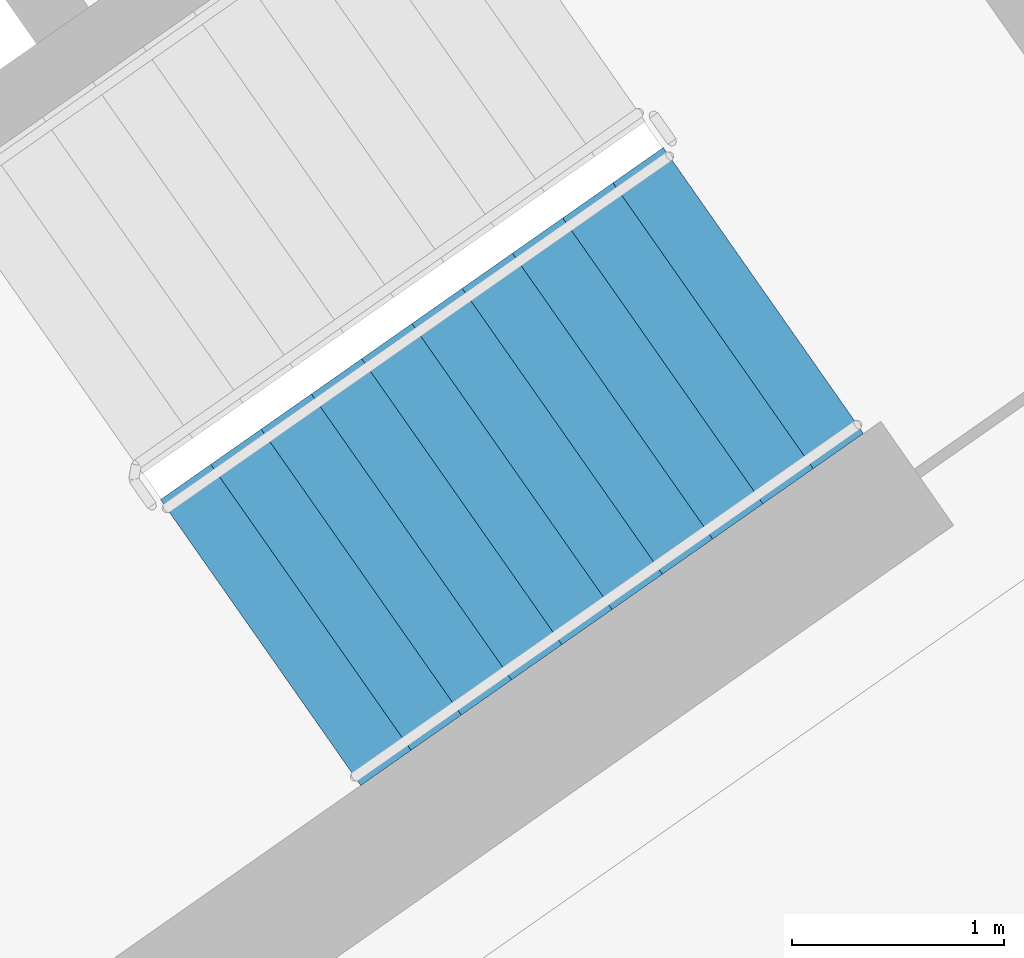
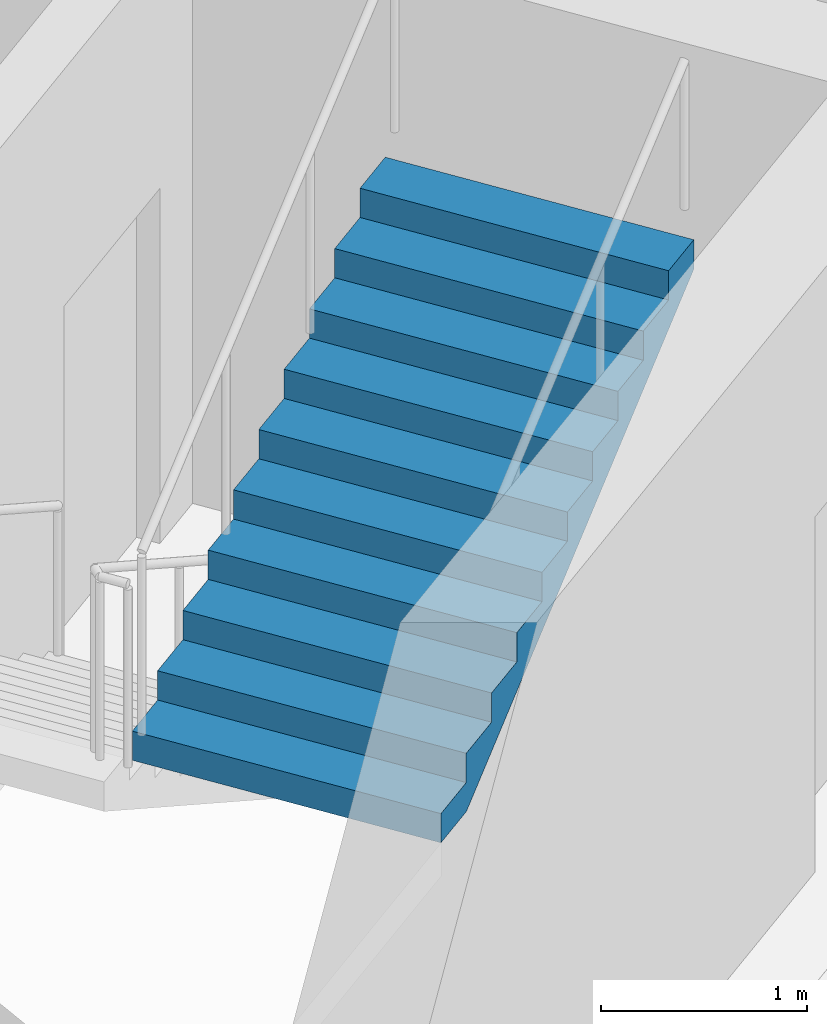
# One storey, part 13 of 28: 1 stair flight, 1 element without a shape of its own.
"""IFC4 building model written with IfcOpenShell, lengths in metres."""

from ifc_helpers import new_model, si_unit, direction, frame, origin, place, context, subcontext, project, spatial, faceted_brep, material, type_object, element, aggregate, save


model = new_model("IFC4")

# Units and contexts
model_context = context("Model", 3, precision=1e-05, world=origin(), true_north=direction((0.0, 1.0)))
body_context = subcontext(model_context, "Body", "Model", "MODEL_VIEW")
ifc_project = project(units=[si_unit("LENGTHUNIT", "METRE"), si_unit("AREAUNIT", "SQUARE_METRE"), si_unit("VOLUMEUNIT", "CUBIC_METRE"), si_unit("PLANEANGLEUNIT", "RADIAN"), si_unit("MASSUNIT", "GRAM", prefix="KILO")], contexts=[model_context])

# Site, building, storey
site_placement = place(None, origin())
site = spatial("IfcSite", under=ifc_project, at=site_placement, CompositionType="ELEMENT")
building_placement = place(site_placement, origin())
building = spatial("IfcBuilding", under=site, at=building_placement, Name="Qamariyya Broadcast Tower", CompositionType="ELEMENT")
storey_placement = place(building_placement, frame((0.0, 0.0, 241.699951171875)))
storey = spatial("IfcBuildingStorey", under=building, at=storey_placement, Name="L58", CompositionType="ELEMENT", Elevation=241.699951171875)

# Stair, stair flight
ifc_material = material(Name="Concrete C50/60", Category="concrete")
stair_type = type_object("IfcStairType", Name="Exit stair 22 risers of 173 mm", PredefinedType="HALF_TURN_STAIR", material=ifc_material)
stair_placement = place(storey_placement, origin())
stair = element("IfcStair", 1, at=stair_placement, inside=storey, type_object=stair_type, Name="L58 Stair E1", PredefinedType="HALF_TURN_STAIR")
stair_flight_type = type_object("IfcStairFlightType", Name="Exit stair flight 11 risers of 173 mm", PredefinedType="STRAIGHT", material=ifc_material)
stair_flight_placement = place(storey_placement, frame((44.693359375, -58.64599609375, 1.900146484375), z_axis=(0.0, 0.0, 1.0), x_axis=(0.819152044289, 0.573576436351, 0.0)))
stair_flight = element("IfcStairFlight", 2, at=stair_flight_placement, type_object=stair_flight_type, Name="ST-E1 flight 2", NumberOfRisers=11, NumberOfTreads=10, PredefinedType="STRAIGHT", RiserHeight=0.172727273, TreadLength=0.29, context=body_context, shape_type="Brep", body=[
    faceted_brep([(0.0, 0.824951171875, 0.0), (0.0, 0.824951171875, 0.172607421875), (0.2900390625, 0.824951171875, 0.172607421875), (0.2900390625, 0.824951171875, 0.345458984375), (0.580078125, 0.824951171875, 0.345458984375), (0.580078125, 0.824951171875, 0.51806640625), (0.8701171875, 0.824951171875, 0.51806640625), (0.8701171875, 0.824951171875, 0.69091796875), (1.159912109375, 0.824951171875, 0.69091796875), (1.159912109375, 0.824951171875, 0.863525390625), (1.449951171875, 0.824951171875, 0.863525390625), (1.449951171875, 0.824951171875, 1.036376953125), (1.739990234375, 0.824951171875, 1.036376953125), (1.739990234375, 0.824951171875, 1.208984375), (2.030029296875, 0.824951171875, 1.208984375), (2.030029296875, 0.824951171875, 1.3818359375), (2.320068359375, 0.824951171875, 1.3818359375), (2.320068359375, 0.824951171875, 1.554443359375), (2.610107421875, 0.824951171875, 1.554443359375), (2.610107421875, 0.824951171875, 1.727294921875), (2.89990234375, 0.824951171875, 1.727294921875), (2.89990234375, 0.824951171875, 1.552734375), (0.29296875, 0.824951171875, 0.0), (0.29296875, -0.824951171875, 0.0), (2.89990234375, -0.824951171875, 1.552734375), (2.89990234375, -0.824951171875, 1.727294921875), (2.610107421875, -0.824951171875, 1.727294921875), (2.610107421875, -0.824951171875, 1.554443359375), (2.320068359375, -0.824951171875, 1.554443359375), (2.320068359375, -0.824951171875, 1.3818359375), (2.030029296875, -0.824951171875, 1.3818359375), (2.030029296875, -0.824951171875, 1.208984375), (1.739990234375, -0.824951171875, 1.208984375), (1.739990234375, -0.824951171875, 1.036376953125), (1.449951171875, -0.824951171875, 1.036376953125), (1.449951171875, -0.824951171875, 0.863525390625), (1.159912109375, -0.824951171875, 0.863525390625), (1.159912109375, -0.824951171875, 0.69091796875), (0.8701171875, -0.824951171875, 0.69091796875), (0.8701171875, -0.824951171875, 0.51806640625), (0.580078125, -0.824951171875, 0.51806640625), (0.580078125, -0.824951171875, 0.345458984375), (0.2900390625, -0.824951171875, 0.345458984375), (0.2900390625, -0.824951171875, 0.172607421875), (0.0, -0.824951171875, 0.172607421875), (0.0, -0.824951171875, 0.0), (0.0, 0.10009765625, 0.0), (0.0, 0.086669921875, 0.0), (0.0, 0.0732421875, 0.0), (0.0, 0.06005859375, 0.0), (0.0, 0.046630859375, 0.0), (0.0, 0.033447265625, 0.0), (0.0, 0.02001953125, 0.0), (0.0, 0.006591796875, 0.0), (0.0, -0.006591796875, 0.0), (0.0, -0.02001953125, 0.0), (0.0, -0.033447265625, 0.0), (0.0, -0.046630859375, 0.0), (0.0, -0.06005859375, 0.0), (0.0, -0.0732421875, 0.0), (0.0, -0.086669921875, 0.0), (0.0, -0.10009765625, 0.0), (0.0, -0.10009765625, 0.172607421875), (0.0, -0.086669921875, 0.172607421875), (0.0, -0.0732421875, 0.172607421875), (0.0, -0.06005859375, 0.172607421875), (0.0, -0.046630859375, 0.172607421875), (0.0, -0.033447265625, 0.172607421875), (0.0, -0.02001953125, 0.172607421875), (0.0, -0.006591796875, 0.172607421875), (0.0, 0.006591796875, 0.172607421875), (0.0, 0.02001953125, 0.172607421875), (0.0, 0.033447265625, 0.172607421875), (0.0, 0.046630859375, 0.172607421875), (0.0, 0.06005859375, 0.172607421875), (0.0, 0.0732421875, 0.172607421875), (0.0, 0.086669921875, 0.172607421875), (0.0, 0.10009765625, 0.172607421875), (0.2900390625, -0.10009765625, 0.172607421875), (0.2900390625, -0.086669921875, 0.172607421875), (0.2900390625, -0.0732421875, 0.172607421875), (0.2900390625, -0.06005859375, 0.172607421875), (0.2900390625, -0.046630859375, 0.172607421875), (0.2900390625, -0.033447265625, 0.172607421875), (0.2900390625, -0.02001953125, 0.172607421875), (0.2900390625, -0.006591796875, 0.172607421875), (0.2900390625, 0.006591796875, 0.172607421875), (0.2900390625, 0.02001953125, 0.172607421875), (0.2900390625, 0.033447265625, 0.172607421875), (0.2900390625, 0.046630859375, 0.172607421875), (0.2900390625, 0.06005859375, 0.172607421875), (0.2900390625, 0.0732421875, 0.172607421875), (0.2900390625, 0.086669921875, 0.172607421875), (0.2900390625, 0.10009765625, 0.172607421875), (0.2900390625, -0.10009765625, 0.345458984375), (0.2900390625, -0.086669921875, 0.345458984375), (0.2900390625, -0.0732421875, 0.345458984375), (0.2900390625, -0.06005859375, 0.345458984375), (0.2900390625, -0.046630859375, 0.345458984375), (0.2900390625, -0.033447265625, 0.345458984375), (0.2900390625, -0.02001953125, 0.345458984375), (0.2900390625, -0.006591796875, 0.345458984375), (0.2900390625, 0.006591796875, 0.345458984375), (0.2900390625, 0.02001953125, 0.345458984375), (0.2900390625, 0.033447265625, 0.345458984375), (0.2900390625, 0.046630859375, 0.345458984375), (0.2900390625, 0.06005859375, 0.345458984375), (0.2900390625, 0.0732421875, 0.345458984375), (0.2900390625, 0.086669921875, 0.345458984375), (0.2900390625, 0.10009765625, 0.345458984375), (0.580078125, -0.10009765625, 0.345458984375), (0.580078125, -0.086669921875, 0.345458984375), (0.580078125, -0.0732421875, 0.345458984375), (0.580078125, -0.06005859375, 0.345458984375), (0.580078125, -0.046630859375, 0.345458984375), (0.580078125, -0.033447265625, 0.345458984375), (0.580078125, -0.02001953125, 0.345458984375), (0.580078125, -0.006591796875, 0.345458984375), (0.580078125, 0.006591796875, 0.345458984375), (0.580078125, 0.02001953125, 0.345458984375), (0.580078125, 0.033447265625, 0.345458984375), (0.580078125, 0.046630859375, 0.345458984375), (0.580078125, 0.06005859375, 0.345458984375), (0.580078125, 0.0732421875, 0.345458984375), (0.580078125, 0.086669921875, 0.345458984375), (0.580078125, 0.10009765625, 0.345458984375), (0.580078125, -0.10009765625, 0.51806640625), (0.580078125, -0.086669921875, 0.51806640625), (0.580078125, -0.0732421875, 0.51806640625), (0.580078125, -0.06005859375, 0.51806640625), (0.580078125, -0.046630859375, 0.51806640625), (0.580078125, -0.033447265625, 0.51806640625), (0.580078125, -0.02001953125, 0.51806640625), (0.580078125, -0.006591796875, 0.51806640625), (0.580078125, 0.006591796875, 0.51806640625), (0.580078125, 0.02001953125, 0.51806640625), (0.580078125, 0.033447265625, 0.51806640625), (0.580078125, 0.046630859375, 0.51806640625), (0.580078125, 0.06005859375, 0.51806640625), (0.580078125, 0.0732421875, 0.51806640625), (0.580078125, 0.086669921875, 0.51806640625), (0.580078125, 0.10009765625, 0.51806640625), (0.8701171875, -0.10009765625, 0.51806640625), (0.8701171875, -0.086669921875, 0.51806640625), (0.8701171875, -0.0732421875, 0.51806640625), (0.8701171875, -0.06005859375, 0.51806640625), (0.8701171875, -0.046630859375, 0.51806640625), (0.8701171875, -0.033447265625, 0.51806640625), (0.8701171875, -0.02001953125, 0.51806640625), (0.8701171875, -0.006591796875, 0.51806640625), (0.8701171875, 0.006591796875, 0.51806640625), (0.8701171875, 0.02001953125, 0.51806640625), (0.8701171875, 0.033447265625, 0.51806640625), (0.8701171875, 0.046630859375, 0.51806640625), (0.8701171875, 0.06005859375, 0.51806640625), (0.8701171875, 0.0732421875, 0.51806640625), (0.8701171875, 0.086669921875, 0.51806640625), (0.8701171875, 0.10009765625, 0.51806640625), (0.8701171875, -0.10009765625, 0.69091796875), (0.8701171875, -0.086669921875, 0.69091796875), (0.8701171875, -0.0732421875, 0.69091796875), (0.8701171875, -0.06005859375, 0.69091796875), (0.8701171875, -0.046630859375, 0.69091796875), (0.8701171875, -0.033447265625, 0.69091796875), (0.8701171875, -0.02001953125, 0.69091796875), (0.8701171875, -0.006591796875, 0.69091796875), (0.8701171875, 0.006591796875, 0.69091796875), (0.8701171875, 0.02001953125, 0.69091796875), (0.8701171875, 0.033447265625, 0.69091796875), (0.8701171875, 0.046630859375, 0.69091796875), (0.8701171875, 0.06005859375, 0.69091796875), (0.8701171875, 0.0732421875, 0.69091796875), (0.8701171875, 0.086669921875, 0.69091796875), (0.8701171875, 0.10009765625, 0.69091796875), (1.159912109375, -0.10009765625, 0.69091796875), (1.159912109375, -0.086669921875, 0.69091796875), (1.159912109375, -0.0732421875, 0.69091796875), (1.159912109375, -0.06005859375, 0.69091796875), (1.159912109375, -0.046630859375, 0.69091796875), (1.159912109375, -0.033447265625, 0.69091796875), (1.159912109375, -0.02001953125, 0.69091796875), (1.159912109375, -0.006591796875, 0.69091796875), (1.159912109375, 0.006591796875, 0.69091796875), (1.159912109375, 0.02001953125, 0.69091796875), (1.159912109375, 0.033447265625, 0.69091796875), (1.159912109375, 0.046630859375, 0.69091796875), (1.159912109375, 0.06005859375, 0.69091796875), (1.159912109375, 0.0732421875, 0.69091796875), (1.159912109375, 0.086669921875, 0.69091796875), (1.159912109375, 0.10009765625, 0.69091796875), (1.159912109375, -0.10009765625, 0.863525390625), (1.159912109375, -0.086669921875, 0.863525390625), (1.159912109375, -0.0732421875, 0.863525390625), (1.159912109375, -0.06005859375, 0.863525390625), (1.159912109375, -0.046630859375, 0.863525390625), (1.159912109375, -0.033447265625, 0.863525390625), (1.159912109375, -0.02001953125, 0.863525390625), (1.159912109375, -0.006591796875, 0.863525390625), (1.159912109375, 0.006591796875, 0.863525390625), (1.159912109375, 0.02001953125, 0.863525390625), (1.159912109375, 0.033447265625, 0.863525390625), (1.159912109375, 0.046630859375, 0.863525390625), (1.159912109375, 0.06005859375, 0.863525390625), (1.159912109375, 0.0732421875, 0.863525390625), (1.159912109375, 0.086669921875, 0.863525390625), (1.159912109375, 0.10009765625, 0.863525390625), (1.449951171875, -0.10009765625, 0.863525390625), (1.449951171875, -0.086669921875, 0.863525390625), (1.449951171875, -0.0732421875, 0.863525390625), (1.449951171875, -0.06005859375, 0.863525390625), (1.449951171875, -0.046630859375, 0.863525390625), (1.449951171875, -0.033447265625, 0.863525390625), (1.449951171875, -0.02001953125, 0.863525390625), (1.449951171875, -0.006591796875, 0.863525390625), (1.449951171875, 0.006591796875, 0.863525390625), (1.449951171875, 0.02001953125, 0.863525390625), (1.449951171875, 0.033447265625, 0.863525390625), (1.449951171875, 0.046630859375, 0.863525390625), (1.449951171875, 0.06005859375, 0.863525390625), (1.449951171875, 0.0732421875, 0.863525390625), (1.449951171875, 0.086669921875, 0.863525390625), (1.449951171875, 0.10009765625, 0.863525390625), (1.449951171875, -0.10009765625, 1.036376953125), (1.449951171875, -0.086669921875, 1.036376953125), (1.449951171875, -0.0732421875, 1.036376953125), (1.449951171875, -0.06005859375, 1.036376953125), (1.449951171875, -0.046630859375, 1.036376953125), (1.449951171875, -0.033447265625, 1.036376953125), (1.449951171875, -0.02001953125, 1.036376953125), (1.449951171875, -0.006591796875, 1.036376953125), (1.449951171875, 0.006591796875, 1.036376953125), (1.449951171875, 0.02001953125, 1.036376953125), (1.449951171875, 0.033447265625, 1.036376953125), (1.449951171875, 0.046630859375, 1.036376953125), (1.449951171875, 0.06005859375, 1.036376953125), (1.449951171875, 0.0732421875, 1.036376953125), (1.449951171875, 0.086669921875, 1.036376953125), (1.449951171875, 0.10009765625, 1.036376953125), (1.739990234375, -0.10009765625, 1.036376953125), (1.739990234375, -0.086669921875, 1.036376953125), (1.739990234375, -0.0732421875, 1.036376953125), (1.739990234375, -0.06005859375, 1.036376953125), (1.739990234375, -0.046630859375, 1.036376953125), (1.739990234375, -0.033447265625, 1.036376953125), (1.739990234375, -0.02001953125, 1.036376953125), (1.739990234375, -0.006591796875, 1.036376953125), (1.739990234375, 0.006591796875, 1.036376953125), (1.739990234375, 0.02001953125, 1.036376953125), (1.739990234375, 0.033447265625, 1.036376953125), (1.739990234375, 0.046630859375, 1.036376953125), (1.739990234375, 0.06005859375, 1.036376953125), (1.739990234375, 0.0732421875, 1.036376953125), (1.739990234375, 0.086669921875, 1.036376953125), (1.739990234375, 0.10009765625, 1.036376953125), (1.739990234375, -0.10009765625, 1.208984375), (1.739990234375, -0.086669921875, 1.208984375), (1.739990234375, -0.0732421875, 1.208984375), (1.739990234375, -0.06005859375, 1.208984375), (1.739990234375, -0.046630859375, 1.208984375), (1.739990234375, -0.033447265625, 1.208984375), (1.739990234375, -0.02001953125, 1.208984375), (1.739990234375, -0.006591796875, 1.208984375), (1.739990234375, 0.006591796875, 1.208984375), (1.739990234375, 0.02001953125, 1.208984375), (1.739990234375, 0.033447265625, 1.208984375), (1.739990234375, 0.046630859375, 1.208984375), (1.739990234375, 0.06005859375, 1.208984375), (1.739990234375, 0.0732421875, 1.208984375), (1.739990234375, 0.086669921875, 1.208984375), (1.739990234375, 0.10009765625, 1.208984375), (2.030029296875, -0.10009765625, 1.208984375), (2.030029296875, -0.086669921875, 1.208984375), (2.030029296875, -0.0732421875, 1.208984375), (2.030029296875, -0.06005859375, 1.208984375), (2.030029296875, -0.046630859375, 1.208984375), (2.030029296875, -0.033447265625, 1.208984375), (2.030029296875, -0.02001953125, 1.208984375), (2.030029296875, -0.006591796875, 1.208984375), (2.030029296875, 0.006591796875, 1.208984375), (2.030029296875, 0.02001953125, 1.208984375), (2.030029296875, 0.033447265625, 1.208984375), (2.030029296875, 0.046630859375, 1.208984375), (2.030029296875, 0.06005859375, 1.208984375), (2.030029296875, 0.0732421875, 1.208984375), (2.030029296875, 0.086669921875, 1.208984375), (2.030029296875, 0.10009765625, 1.208984375), (2.030029296875, -0.10009765625, 1.3818359375), (2.030029296875, -0.086669921875, 1.3818359375), (2.030029296875, -0.0732421875, 1.3818359375), (2.030029296875, -0.06005859375, 1.3818359375), (2.030029296875, -0.046630859375, 1.3818359375), (2.030029296875, -0.033447265625, 1.3818359375), (2.030029296875, -0.02001953125, 1.3818359375), (2.030029296875, -0.006591796875, 1.3818359375), (2.030029296875, 0.006591796875, 1.3818359375), (2.030029296875, 0.02001953125, 1.3818359375), (2.030029296875, 0.033447265625, 1.3818359375), (2.030029296875, 0.046630859375, 1.3818359375), (2.030029296875, 0.06005859375, 1.3818359375), (2.030029296875, 0.0732421875, 1.3818359375), (2.030029296875, 0.086669921875, 1.3818359375), (2.030029296875, 0.10009765625, 1.3818359375), (2.320068359375, -0.10009765625, 1.3818359375), (2.320068359375, -0.086669921875, 1.3818359375), (2.320068359375, -0.0732421875, 1.3818359375), (2.320068359375, -0.06005859375, 1.3818359375), (2.320068359375, -0.046630859375, 1.3818359375), (2.320068359375, -0.033447265625, 1.3818359375), (2.320068359375, -0.02001953125, 1.3818359375), (2.320068359375, -0.006591796875, 1.3818359375), (2.320068359375, 0.006591796875, 1.3818359375), (2.320068359375, 0.02001953125, 1.3818359375), (2.320068359375, 0.033447265625, 1.3818359375), (2.320068359375, 0.046630859375, 1.3818359375), (2.320068359375, 0.06005859375, 1.3818359375), (2.320068359375, 0.0732421875, 1.3818359375), (2.320068359375, 0.086669921875, 1.3818359375), (2.320068359375, 0.10009765625, 1.3818359375), (2.320068359375, -0.10009765625, 1.554443359375), (2.320068359375, -0.086669921875, 1.554443359375), (2.320068359375, -0.0732421875, 1.554443359375), (2.320068359375, -0.06005859375, 1.554443359375), (2.320068359375, -0.046630859375, 1.554443359375), (2.320068359375, -0.033447265625, 1.554443359375), (2.320068359375, -0.02001953125, 1.554443359375), (2.320068359375, -0.006591796875, 1.554443359375), (2.320068359375, 0.006591796875, 1.554443359375), (2.320068359375, 0.02001953125, 1.554443359375), (2.320068359375, 0.033447265625, 1.554443359375), (2.320068359375, 0.046630859375, 1.554443359375), (2.320068359375, 0.06005859375, 1.554443359375), (2.320068359375, 0.0732421875, 1.554443359375), (2.320068359375, 0.086669921875, 1.554443359375), (2.320068359375, 0.10009765625, 1.554443359375), (2.610107421875, -0.10009765625, 1.554443359375), (2.610107421875, -0.086669921875, 1.554443359375), (2.610107421875, -0.0732421875, 1.554443359375), (2.610107421875, -0.06005859375, 1.554443359375), (2.610107421875, -0.046630859375, 1.554443359375), (2.610107421875, -0.033447265625, 1.554443359375), (2.610107421875, -0.02001953125, 1.554443359375), (2.610107421875, -0.006591796875, 1.554443359375), (2.610107421875, 0.006591796875, 1.554443359375), (2.610107421875, 0.02001953125, 1.554443359375), (2.610107421875, 0.033447265625, 1.554443359375), (2.610107421875, 0.046630859375, 1.554443359375), (2.610107421875, 0.06005859375, 1.554443359375), (2.610107421875, 0.0732421875, 1.554443359375), (2.610107421875, 0.086669921875, 1.554443359375), (2.610107421875, 0.10009765625, 1.554443359375), (2.610107421875, -0.10009765625, 1.727294921875), (2.610107421875, -0.086669921875, 1.727294921875), (2.610107421875, -0.0732421875, 1.727294921875), (2.610107421875, -0.06005859375, 1.727294921875), (2.610107421875, -0.046630859375, 1.727294921875), (2.610107421875, -0.033447265625, 1.727294921875), (2.610107421875, -0.02001953125, 1.727294921875), (2.610107421875, -0.006591796875, 1.727294921875), (2.610107421875, 0.006591796875, 1.727294921875), (2.610107421875, 0.02001953125, 1.727294921875), (2.610107421875, 0.033447265625, 1.727294921875), (2.610107421875, 0.046630859375, 1.727294921875), (2.610107421875, 0.06005859375, 1.727294921875), (2.610107421875, 0.0732421875, 1.727294921875), (2.610107421875, 0.086669921875, 1.727294921875), (2.610107421875, 0.10009765625, 1.727294921875), (2.89990234375, -0.10009765625, 1.727294921875), (2.89990234375, -0.086669921875, 1.727294921875), (2.89990234375, -0.0732421875, 1.727294921875), (2.89990234375, -0.06005859375, 1.727294921875), (2.89990234375, -0.046630859375, 1.727294921875), (2.89990234375, -0.033447265625, 1.727294921875), (2.89990234375, -0.02001953125, 1.727294921875), (2.89990234375, -0.006591796875, 1.727294921875), (2.89990234375, 0.006591796875, 1.727294921875), (2.89990234375, 0.02001953125, 1.727294921875), (2.89990234375, 0.033447265625, 1.727294921875), (2.89990234375, 0.046630859375, 1.727294921875), (2.89990234375, 0.06005859375, 1.727294921875), (2.89990234375, 0.0732421875, 1.727294921875), (2.89990234375, 0.086669921875, 1.727294921875), (2.89990234375, 0.10009765625, 1.727294921875), (2.89990234375, -0.10009765625, 1.552734375), (2.89990234375, -0.086669921875, 1.552734375), (2.89990234375, -0.0732421875, 1.552734375), (2.89990234375, -0.06005859375, 1.552734375), (2.89990234375, -0.046630859375, 1.552734375), (2.89990234375, -0.033447265625, 1.552734375), (2.89990234375, -0.02001953125, 1.552734375), (2.89990234375, -0.006591796875, 1.552734375), (2.89990234375, 0.006591796875, 1.552734375), (2.89990234375, 0.02001953125, 1.552734375), (2.89990234375, 0.033447265625, 1.552734375), (2.89990234375, 0.046630859375, 1.552734375), (2.89990234375, 0.06005859375, 1.552734375), (2.89990234375, 0.0732421875, 1.552734375), (2.89990234375, 0.086669921875, 1.552734375), (2.89990234375, 0.10009765625, 1.552734375), (0.29296875, -0.10009765625, 0.0), (0.29296875, -0.086669921875, 0.0), (0.29296875, -0.0732421875, 0.0), (0.29296875, -0.06005859375, 0.0), (0.29296875, -0.046630859375, 0.0), (0.29296875, -0.033447265625, 0.0), (0.29296875, -0.02001953125, 0.0), (0.29296875, -0.006591796875, 0.0), (0.29296875, 0.006591796875, 0.0), (0.29296875, 0.02001953125, 0.0), (0.29296875, 0.033447265625, 0.0), (0.29296875, 0.046630859375, 0.0), (0.29296875, 0.06005859375, 0.0), (0.29296875, 0.0732421875, 0.0), (0.29296875, 0.086669921875, 0.0), (0.29296875, 0.10009765625, 0.0)], [[[0, 1, 2, 3, 4, 5, 6, 7, 8, 9, 10, 11, 12, 13, 14, 15, 16, 17, 18, 19, 20, 21, 22]], [[23, 24, 25, 26, 27, 28, 29, 30, 31, 32, 33, 34, 35, 36, 37, 38, 39, 40, 41, 42, 43, 44, 45]], [[0, 46, 47, 48, 49, 50, 51, 52, 53, 54, 55, 56, 57, 58, 59, 60, 61, 45, 44, 62, 63, 64, 65, 66, 67, 68, 69, 70, 71, 72, 73, 74, 75, 76, 77, 1]], [[1, 77, 76, 75, 74, 73, 72, 71, 70, 69, 68, 67, 66, 65, 64, 63, 62, 44, 43, 78, 79, 80, 81, 82, 83, 84, 85, 86, 87, 88, 89, 90, 91, 92, 93, 2]], [[2, 93, 92, 91, 90, 89, 88, 87, 86, 85, 84, 83, 82, 81, 80, 79, 78, 43, 42, 94, 95, 96, 97, 98, 99, 100, 101, 102, 103, 104, 105, 106, 107, 108, 109, 3]], [[3, 109, 108, 107, 106, 105, 104, 103, 102, 101, 100, 99, 98, 97, 96, 95, 94, 42, 41, 110, 111, 112, 113, 114, 115, 116, 117, 118, 119, 120, 121, 122, 123, 124, 125, 4]], [[4, 125, 124, 123, 122, 121, 120, 119, 118, 117, 116, 115, 114, 113, 112, 111, 110, 41, 40, 126, 127, 128, 129, 130, 131, 132, 133, 134, 135, 136, 137, 138, 139, 140, 141, 5]], [[5, 141, 140, 139, 138, 137, 136, 135, 134, 133, 132, 131, 130, 129, 128, 127, 126, 40, 39, 142, 143, 144, 145, 146, 147, 148, 149, 150, 151, 152, 153, 154, 155, 156, 157, 6]], [[6, 157, 156, 155, 154, 153, 152, 151, 150, 149, 148, 147, 146, 145, 144, 143, 142, 39, 38, 158, 159, 160, 161, 162, 163, 164, 165, 166, 167, 168, 169, 170, 171, 172, 173, 7]], [[7, 173, 172, 171, 170, 169, 168, 167, 166, 165, 164, 163, 162, 161, 160, 159, 158, 38, 37, 174, 175, 176, 177, 178, 179, 180, 181, 182, 183, 184, 185, 186, 187, 188, 189, 8]], [[8, 189, 188, 187, 186, 185, 184, 183, 182, 181, 180, 179, 178, 177, 176, 175, 174, 37, 36, 190, 191, 192, 193, 194, 195, 196, 197, 198, 199, 200, 201, 202, 203, 204, 205, 9]], [[9, 205, 204, 203, 202, 201, 200, 199, 198, 197, 196, 195, 194, 193, 192, 191, 190, 36, 35, 206, 207, 208, 209, 210, 211, 212, 213, 214, 215, 216, 217, 218, 219, 220, 221, 10]], [[10, 221, 220, 219, 218, 217, 216, 215, 214, 213, 212, 211, 210, 209, 208, 207, 206, 35, 34, 222, 223, 224, 225, 226, 227, 228, 229, 230, 231, 232, 233, 234, 235, 236, 237, 11]], [[11, 237, 236, 235, 234, 233, 232, 231, 230, 229, 228, 227, 226, 225, 224, 223, 222, 34, 33, 238, 239, 240, 241, 242, 243, 244, 245, 246, 247, 248, 249, 250, 251, 252, 253, 12]], [[12, 253, 252, 251, 250, 249, 248, 247, 246, 245, 244, 243, 242, 241, 240, 239, 238, 33, 32, 254, 255, 256, 257, 258, 259, 260, 261, 262, 263, 264, 265, 266, 267, 268, 269, 13]], [[13, 269, 268, 267, 266, 265, 264, 263, 262, 261, 260, 259, 258, 257, 256, 255, 254, 32, 31, 270, 271, 272, 273, 274, 275, 276, 277, 278, 279, 280, 281, 282, 283, 284, 285, 14]], [[14, 285, 284, 283, 282, 281, 280, 279, 278, 277, 276, 275, 274, 273, 272, 271, 270, 31, 30, 286, 287, 288, 289, 290, 291, 292, 293, 294, 295, 296, 297, 298, 299, 300, 301, 15]], [[15, 301, 300, 299, 298, 297, 296, 295, 294, 293, 292, 291, 290, 289, 288, 287, 286, 30, 29, 302, 303, 304, 305, 306, 307, 308, 309, 310, 311, 312, 313, 314, 315, 316, 317, 16]], [[16, 317, 316, 315, 314, 313, 312, 311, 310, 309, 308, 307, 306, 305, 304, 303, 302, 29, 28, 318, 319, 320, 321, 322, 323, 324, 325, 326, 327, 328, 329, 330, 331, 332, 333, 17]], [[17, 333, 332, 331, 330, 329, 328, 327, 326, 325, 324, 323, 322, 321, 320, 319, 318, 28, 27, 334, 335, 336, 337, 338, 339, 340, 341, 342, 343, 344, 345, 346, 347, 348, 349, 18]], [[18, 349, 348, 347, 346, 345, 344, 343, 342, 341, 340, 339, 338, 337, 336, 335, 334, 27, 26, 350, 351, 352, 353, 354, 355, 356, 357, 358, 359, 360, 361, 362, 363, 364, 365, 19]], [[19, 365, 364, 363, 362, 361, 360, 359, 358, 357, 356, 355, 354, 353, 352, 351, 350, 26, 25, 366, 367, 368, 369, 370, 371, 372, 373, 374, 375, 376, 377, 378, 379, 380, 381, 20]], [[20, 381, 380, 379, 378, 377, 376, 375, 374, 373, 372, 371, 370, 369, 368, 367, 366, 25, 24, 382, 383, 384, 385, 386, 387, 388, 389, 390, 391, 392, 393, 394, 395, 396, 397, 21]], [[21, 397, 396, 395, 394, 393, 392, 391, 390, 389, 388, 387, 386, 385, 384, 383, 382, 24, 23, 398, 399, 400, 401, 402, 403, 404, 405, 406, 407, 408, 409, 410, 411, 412, 413, 22]], [[22, 413, 412, 411, 410, 409, 408, 407, 406, 405, 404, 403, 402, 401, 400, 399, 398, 23, 45, 61, 60, 59, 58, 57, 56, 55, 54, 53, 52, 51, 50, 49, 48, 47, 46, 0]]]),
])
aggregate(stair, [stair_flight])

save(model, "model.ifc")
